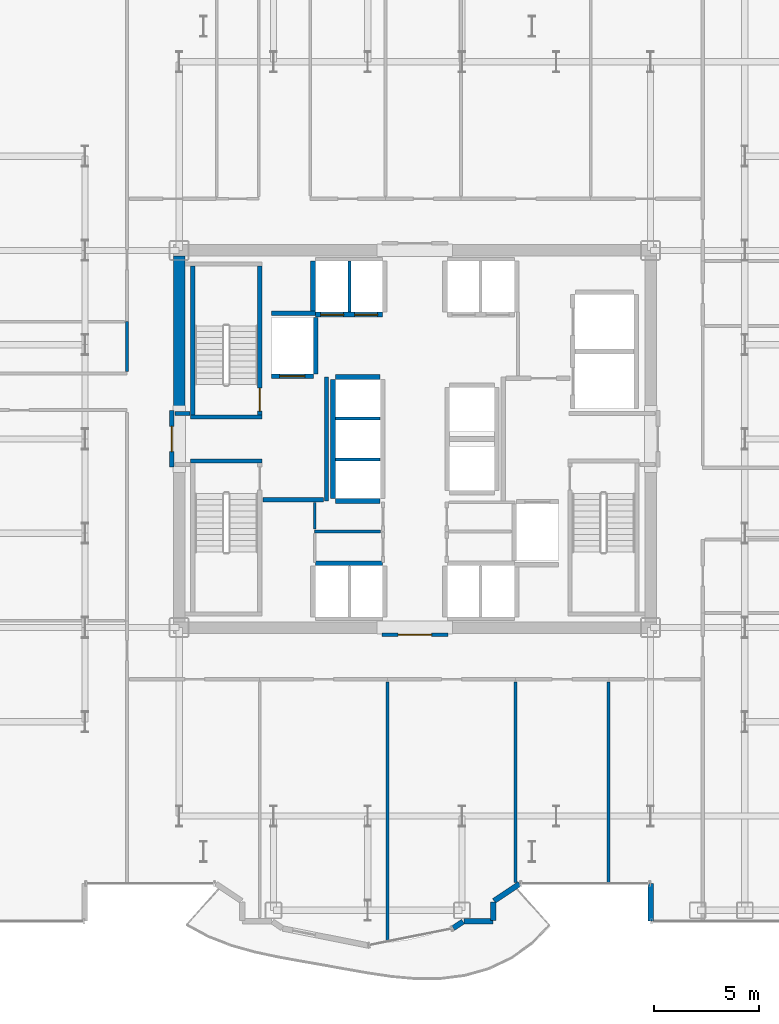
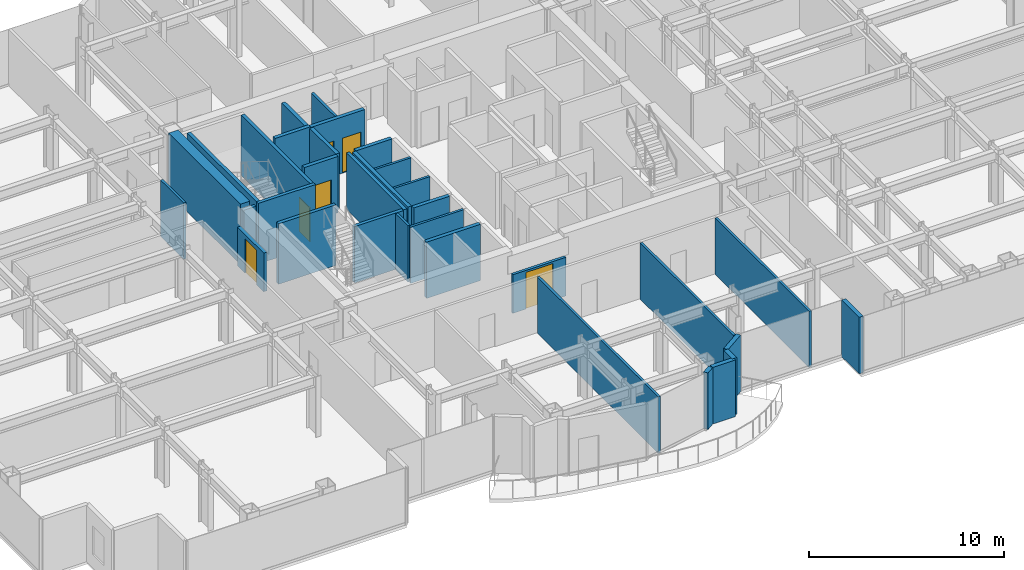
# One storey, part 23 of 29: 33 walls, 6 doors, 6 openings.
"""IFC4 building model written with IfcOpenShell, lengths in metres."""

from ifc_helpers import new_model, si_unit, direction, frame, frame_2d, origin, place, context, subcontext, project, spatial, rectangle, extrude, source, transform, mapped, material, layer, layer_set, type_object, element, fill, save


model = new_model("IFC4")

# Units and contexts
model_context = context("Model", 3, precision=1e-05, world=origin(), true_north=direction((0.0, 1.0)))
body_context = subcontext(model_context, "Body", "Model", "MODEL_VIEW")
ifc_project = project(units=[si_unit("LENGTHUNIT", "METRE"), si_unit("AREAUNIT", "SQUARE_METRE"), si_unit("VOLUMEUNIT", "CUBIC_METRE"), si_unit("PLANEANGLEUNIT", "RADIAN"), si_unit("MASSUNIT", "GRAM", prefix="KILO")], contexts=[model_context])

# Site, building, storey
site_placement = place(None, origin())
site = spatial("IfcSite", under=ifc_project, at=site_placement, CompositionType="ELEMENT")
building_placement = place(site_placement, origin())
building = spatial("IfcBuilding", under=site, at=building_placement, Name="Nefas-Gora Pilgrimage Tower", CompositionType="ELEMENT")
storey_placement = place(building_placement, frame((0.0, 0.0, 125.0)))
storey = spatial("IfcBuildingStorey", under=building, at=storey_placement, Name="L30", CompositionType="ELEMENT", Elevation=125.0)

# Walls
ifc_material_1 = material(Name="Concrete C60/75", Category="concrete")
ifc_layer_1 = layer(ifc_material_1, 0.550048828125)
ifc_layer_set_1 = layer_set([ifc_layer_1], Name="Concrete C60/75")
wall_type_1 = type_object("IfcWallType", Name="SW-CORE-550", PredefinedType="SHEAR", material=ifc_layer_set_1)
shared_shape_1 = source(origin(), body_context, "Body", "SweptSolid", [
    extrude(rectangle(XDim=7.375, YDim=0.550048828125, at=frame_2d((3.6875, 0.0))), origin(), (0.0, 0.0, 1.0), 3.800048828125),
])
wall_1_placement = place(storey_placement, frame((-11.25, 1.35009765625, 0.0), z_axis=(0.0, 0.0, 1.0), x_axis=(0.0, 1.0, 0.0)))
element("IfcWall", 1, at=wall_1_placement, inside=storey, type_object=wall_type_1, Name="L30 Core Shear Wall W-North", PredefinedType="SHEAR", context=body_context, shape_type="MappedRepresentation", body=[
    mapped(shared_shape_1, transform((0.0, 0.0, 0.0), x_axis=(1.0, 0.0, 0.0), y_axis=(0.0, 1.0, 0.0), z_axis=(0.0, 0.0, 1.0), scale=1.0)),
])
ifc_material_2 = material(Name="Precast concrete C40/50", Category="concrete")
ifc_layer_2 = layer(ifc_material_2, 0.260009765625)
ifc_layer_set_2 = layer_set([ifc_layer_2], Name="Precast concrete C40/50")
wall_type_2 = type_object("IfcWallType", Name="EW-PORTAL-260", PredefinedType="SOLIDWALL", material=ifc_layer_set_2)
shared_shape_2 = source(origin(), body_context, "Body", "SweptSolid", [
    extrude(rectangle(XDim=1.800048828125, YDim=0.260009765625, at=frame_2d((0.89990234375, 0.0))), origin(), (0.0, 0.0, 1.0), 3.550048828125),
])
wall_2_placement = place(storey_placement, frame((11.25, -21.219970703125, 0.0), z_axis=(0.0, 0.0, 1.0), x_axis=(0.0, -1.0, 0.0)))
element("IfcWall", 2, at=wall_2_placement, inside=storey, type_object=wall_type_2, Name="L30 Lobe Shoulder Precast Spandrel Pier 5", PredefinedType="SOLIDWALL", context=body_context, shape_type="MappedRepresentation", body=[
    mapped(shared_shape_2, transform((0.0, 0.0, 0.0), x_axis=(1.0, 0.0, 0.0), y_axis=(0.0, 1.0, 0.0), z_axis=(0.0, 0.0, 1.0), scale=1.0)),
])
shared_shape_3 = source(origin(), body_context, "Body", "SweptSolid", [
    extrude(rectangle(XDim=1.468994140625, YDim=0.260009765625, at=frame_2d((0.734375, 0.0))), origin(), (0.0, 0.0, 1.0), 3.550048828125),
])
wall_3_placement = place(storey_placement, frame((3.773193359375, -22.0517578125, 0.0), z_axis=(0.0, 0.0, 1.0), x_axis=(0.831461760506, 0.555581983884, 0.0)))
element("IfcWall", 3, at=wall_3_placement, inside=storey, type_object=wall_type_2, Name="L30 Lobe Shoulder Precast Spandrel Pier 41", PredefinedType="SOLIDWALL", context=body_context, shape_type="MappedRepresentation", body=[
    mapped(shared_shape_3, transform((0.0, 0.0, 0.0), x_axis=(1.0, 0.0, 0.0), y_axis=(0.0, 1.0, 0.0), z_axis=(0.0, 0.0, 1.0), scale=1.0)),
])
shared_shape_4 = source(origin(), body_context, "Body", "SweptSolid", [
    extrude(rectangle(XDim=0.896728515625, YDim=0.260009765625, at=frame_2d((0.4482421875, 0.0))), origin(), (0.0, 0.0, 1.0), 3.550048828125),
])
wall_4_placement = place(storey_placement, frame((3.75, -22.991943359375, 0.0), z_axis=(0.0, 0.0, 1.0), x_axis=(0.0, 1.0, 0.0)))
element("IfcWall", 4, at=wall_4_placement, inside=storey, type_object=wall_type_2, Name="L30 Lobe Shoulder Precast Spandrel Pier 40", PredefinedType="SOLIDWALL", context=body_context, shape_type="MappedRepresentation", body=[
    mapped(shared_shape_4, transform((0.0, 0.0, 0.0), x_axis=(1.0, 0.0, 0.0), y_axis=(0.0, 1.0, 0.0), z_axis=(0.0, 0.0, 1.0), scale=1.0)),
])
shared_shape_5 = source(origin(), body_context, "Body", "SweptSolid", [
    extrude(rectangle(XDim=1.369873046875, YDim=0.260009765625, at=frame_2d((0.68505859375, 0.0))), origin(), (0.0, 0.0, 1.0), 3.550048828125),
])
wall_5_placement = place(storey_placement, frame((2.35205078125, -23.02001953125, 0.0), z_axis=(0.0, 0.0, 1.0), x_axis=(1.0, 0.0, 0.0)))
element("IfcWall", 5, at=wall_5_placement, inside=storey, type_object=wall_type_2, Name="L30 Lobe Shoulder Precast Spandrel Pier 39", PredefinedType="SOLIDWALL", context=body_context, shape_type="MappedRepresentation", body=[
    mapped(shared_shape_5, transform((0.0, 0.0, 0.0), x_axis=(1.0, 0.0, 0.0), y_axis=(0.0, 1.0, 0.0), z_axis=(0.0, 0.0, 1.0), scale=1.0)),
])
shared_shape_6 = source(origin(), body_context, "Body", "SweptSolid", [
    extrude(rectangle(XDim=0.5654296875, YDim=0.260009765625, at=frame_2d((0.28271484375, 0.0))), origin(), (0.0, 0.0, 1.0), 3.550048828125),
])
wall_6_placement = place(storey_placement, frame((1.83056640625, -23.349609375, 0.0), z_axis=(0.0, 0.0, 1.0), x_axis=(0.831651492666, 0.555297933317, 0.0)))
element("IfcWall", 6, at=wall_6_placement, inside=storey, type_object=wall_type_2, Name="L30 Lobe Shoulder Precast Spandrel Pier 38", PredefinedType="SOLIDWALL", context=body_context, shape_type="MappedRepresentation", body=[
    mapped(shared_shape_6, transform((0.0, 0.0, 0.0), x_axis=(1.0, 0.0, 0.0), y_axis=(0.0, 1.0, 0.0), z_axis=(0.0, 0.0, 1.0), scale=1.0)),
])
ifc_material_3 = material(Name="Concrete C45/55", Category="concrete")
ifc_layer_3 = layer(ifc_material_3, 0.199951171875)
ifc_layer_set_3 = layer_set([ifc_layer_3], Name="Concrete C45/55")
wall_type_3 = type_object("IfcWallType", Name="IW-STAIR-200", PredefinedType="SOLIDWALL", material=ifc_layer_set_3)
shared_shape_7 = source(origin(), body_context, "Body", "SweptSolid", [
    extrude(rectangle(XDim=3.39990234375, YDim=0.199951171875, at=frame_2d((1.699951171875, 0.0))), origin(), (0.0, 0.0, 1.0), 3.800048828125),
])
for number, where, z_axis, x_axis, name in (
    (7, (-7.300048828125, 1.050048828125, 0.0), (0.0, 0.0, 1.0), (-1.0, 0.0, 0.0), "L30 Stairwell Shear Wall ST-01-near"),
    (8, (-10.699951171875, -1.050048828125, 0.0), (0.0, 0.0, 1.0), (1.0, 0.0, 0.0), "L30 Stairwell Shear Wall ST-03-near"),
):
    element("IfcWall", number, at=place(storey_placement, frame(where, z_axis=z_axis, x_axis=x_axis)), inside=storey, type_object=wall_type_3, Name=name, PredefinedType="SOLIDWALL", context=body_context, shape_type="MappedRepresentation", body=[
        mapped(shared_shape_7, transform((0.0, 0.0, 0.0), x_axis=(1.0, 0.0, 0.0), y_axis=(0.0, 1.0, 0.0), z_axis=(0.0, 0.0, 1.0), scale=1.0)),
    ])

# Wall, opening, door
shared_shape_8 = source(origin(), body_context, "Body", "SweptSolid", [
    extrude(rectangle(XDim=7.10009765625, YDim=0.199951171875, at=frame_2d((3.550048828125, 0.0))), origin(), (0.0, 0.0, 1.0), 3.800048828125),
])
wall_7_placement = place(storey_placement, frame((-7.39990234375, 1.14990234375, 0.0), z_axis=(0.0, 0.0, 1.0), x_axis=(0.0, 1.0, 0.0)))
wall_7 = element("IfcWall", 9, at=wall_7_placement, inside=storey, type_object=wall_type_3, Name="L30 Stairwell Shear Wall ST-01-left", PredefinedType="SOLIDWALL", context=body_context, shape_type="MappedRepresentation", body=[
    mapped(shared_shape_8, transform((0.0, 0.0, 0.0), x_axis=(1.0, 0.0, 0.0), y_axis=(0.0, 1.0, 0.0), z_axis=(0.0, 0.0, 1.0), scale=1.0)),
])
opening_1_placement = place(wall_7_placement, frame((0.179931640625, 0.0, 0.0)))
opening_1 = element("IfcOpeningElement", 10, at=opening_1_placement, cuts=wall_7, Name="Opening ID-ST1", PredefinedType="OPENING", context=body_context, shape_type="SweptSolid", body=[
    extrude(rectangle(XDim=1.10009765625, YDim=2.14990234375, at=frame_2d((0.550048828125, 1.074951171875))), frame((0.0, 0.10986328125, 0.0), z_axis=(0.0, -1.0, 0.0), x_axis=(1.0, 0.0, 0.0)), (0.0, 0.0, 1.0), 0.219970703125),
])
ifc_material_4 = material(Name="Painted galvanised steel fire stair door", Category="steel")
door_type_1 = type_object("IfcDoorType", Name="DR-INT-STAIR-1100", OperationType="NOTDEFINED", PredefinedType="DOOR", material=ifc_material_4)
shared_shape_9 = source(origin(), body_context, "Body", "SweptSolid", [
    extrude(rectangle(XDim=1.10009765625, YDim=2.14990234375, at=frame_2d((0.550048828125, 1.074951171875))), frame((0.0, 0.02490234375, 0.0), z_axis=(0.0, -1.0, 0.0), x_axis=(1.0, 0.0, 0.0)), (0.0, 0.0, 1.0), 0.050048828125),
])
door_1_placement = place(opening_1_placement, origin())
door_1 = element("IfcDoor", 11, at=door_1_placement, inside=storey, type_object=door_type_1, Name="L30 Protected Exit Stair Door ST-01", OperationType="SINGLE_SWING_RIGHT", OverallHeight=2.14990234375, OverallWidth=1.10009765625, PredefinedType="DOOR", context=body_context, shape_type="MappedRepresentation", body=[
    mapped(shared_shape_9, transform((0.0, 0.0, 0.0), x_axis=(1.0, 0.0, 0.0), y_axis=(0.0, 1.0, 0.0), z_axis=(0.0, 0.0, 1.0), scale=1.0)),
])
fill(opening_1, door_1)

# Wall
wall_8_placement = place(storey_placement, frame((-10.60009765625, 1.14990234375, 0.0), z_axis=(0.0, 0.0, 1.0), x_axis=(0.0, 1.0, 0.0)))
element("IfcWall", 12, at=wall_8_placement, inside=storey, type_object=wall_type_3, Name="L30 Stairwell Shear Wall ST-01-right", PredefinedType="SOLIDWALL", context=body_context, shape_type="MappedRepresentation", body=[
    mapped(shared_shape_8, transform((0.0, 0.0, 0.0), x_axis=(1.0, 0.0, 0.0), y_axis=(0.0, 1.0, 0.0), z_axis=(0.0, 0.0, 1.0), scale=1.0)),
])

# Wall, opening, door
ifc_material_5 = material(Name="Concrete C40/50", Category="concrete")
ifc_layer_4 = layer(ifc_material_5, 0.219970703125)
ifc_layer_set_4 = layer_set([ifc_layer_4], Name="Concrete C40/50")
wall_type_4 = type_object("IfcWallType", Name="IW-SHAFT-220", PredefinedType="SOLIDWALL", material=ifc_layer_set_4)
shared_shape_10 = source(origin(), body_context, "Body", "SweptSolid", [
    extrude(rectangle(XDim=2.0, YDim=0.219970703125, at=frame_2d((1.0, 0.0))), origin(), (0.0, 0.0, 1.0), 3.534912109375),
])
wall_9_placement = place(storey_placement, frame((-6.85009765625, 2.989990234375, 0.0), z_axis=(0.0, 0.0, 1.0), x_axis=(1.0, 0.0, 0.0)))
wall_9 = element("IfcWall", 13, at=wall_9_placement, inside=storey, type_object=wall_type_4, Name="L30 Hoistway Wall FFL-01-S", PredefinedType="SOLIDWALL", context=body_context, shape_type="MappedRepresentation", body=[
    mapped(shared_shape_10, transform((0.0, 0.0, 0.0), x_axis=(1.0, 0.0, 0.0), y_axis=(0.0, 1.0, 0.0), z_axis=(0.0, 0.0, 1.0), scale=1.0)),
])
opening_2_placement = place(wall_9_placement, frame((0.39990234375, 0.0, 0.0)))
opening_2 = element("IfcOpeningElement", 14, at=opening_2_placement, cuts=wall_9, Name="Opening LD-FF", PredefinedType="OPENING", context=body_context, shape_type="SweptSolid", body=[
    extrude(rectangle(XDim=1.199951171875, YDim=2.199951171875, at=frame_2d((0.60009765625, 1.10009765625))), frame((0.0, 0.119873046875, 0.0), z_axis=(0.0, -1.0, 0.0), x_axis=(1.0, 0.0, 0.0)), (0.0, 0.0, 1.0), 0.239990234375),
])
ifc_material_6 = material(Name="Fire-service sliding lift landing door")
door_type_2 = type_object("IfcDoorType", Name="DR-LIFT-FSAE-1200", OperationType="SLIDING_TO_LEFT", PredefinedType="DOOR", material=ifc_material_6)
shared_shape_11 = source(origin(), body_context, "Body", "SweptSolid", [
    extrude(rectangle(XDim=1.199951171875, YDim=2.199951171875, at=frame_2d((0.60009765625, 1.10009765625))), frame((0.0, 0.02490234375, 0.0), z_axis=(0.0, -1.0, 0.0), x_axis=(1.0, 0.0, 0.0)), (0.0, 0.0, 1.0), 0.050048828125),
])
door_2_placement = place(opening_2_placement, origin())
door_2 = element("IfcDoor", 15, at=door_2_placement, inside=storey, type_object=door_type_2, Name="L30 Sliding Lift Landing Door FFL-01", OperationType="SLIDING_TO_LEFT", OverallHeight=2.199951171875, OverallWidth=1.199951171875, PredefinedType="DOOR", context=body_context, shape_type="MappedRepresentation", body=[
    mapped(shared_shape_11, transform((0.0, 0.0, 0.0), x_axis=(1.0, 0.0, 0.0), y_axis=(0.0, 1.0, 0.0), z_axis=(0.0, 0.0, 1.0), scale=1.0)),
])
fill(opening_2, door_2)

# Wall
shared_shape_12 = source(origin(), body_context, "Body", "SweptSolid", [
    extrude(rectangle(XDim=2.679931640625, YDim=0.219970703125, at=frame_2d((1.33984375, 0.0))), origin(), (0.0, 0.0, 1.0), 3.534912109375),
])
wall_10_placement = place(storey_placement, frame((-4.739990234375, 3.110107421875, 0.0), z_axis=(0.0, 0.0, 1.0), x_axis=(0.0, 1.0, 0.0)))
element("IfcWall", 16, at=wall_10_placement, inside=storey, type_object=wall_type_4, Name="L30 Hoistway Wall FFL-01-E", PredefinedType="SOLIDWALL", context=body_context, shape_type="MappedRepresentation", body=[
    mapped(shared_shape_12, transform((0.0, 0.0, 0.0), x_axis=(1.0, 0.0, 0.0), y_axis=(0.0, 1.0, 0.0), z_axis=(0.0, 0.0, 1.0), scale=1.0)),
])

# Wall, openings, doors
shared_shape_13 = source(origin(), body_context, "Body", "SweptSolid", [
    extrude(rectangle(XDim=3.199951171875, YDim=0.219970703125, at=frame_2d((1.60009765625, 0.0))), origin(), (0.0, 0.0, 1.0), 3.534912109375),
])
wall_11_placement = place(storey_placement, frame((-4.75, 5.93994140625, 0.0), z_axis=(0.0, 0.0, 1.0), x_axis=(1.0, 0.0, 0.0)))
wall_11 = element("IfcWall", 17, at=wall_11_placement, inside=storey, type_object=wall_type_4, Name="L30 Hoistway Wall PL1-W-S", PredefinedType="SOLIDWALL", context=body_context, shape_type="MappedRepresentation", body=[
    mapped(shared_shape_13, transform((0.0, 0.0, 0.0), x_axis=(1.0, 0.0, 0.0), y_axis=(0.0, 1.0, 0.0), z_axis=(0.0, 0.0, 1.0), scale=1.0)),
])
opening_3_placement = place(wall_11_placement, frame((0.25, 0.0, 0.0)))
opening_3 = element("IfcOpeningElement", 18, at=opening_3_placement, cuts=wall_11, Name="Opening LD-01", PredefinedType="OPENING", context=body_context, shape_type="SweptSolid", body=[
    extrude(rectangle(XDim=1.10009765625, YDim=2.199951171875, at=frame_2d((0.550048828125, 1.10009765625))), frame((0.0, 0.119873046875, 0.0), z_axis=(0.0, -1.0, 0.0), x_axis=(1.0, 0.0, 0.0)), (0.0, 0.0, 1.0), 0.239990234375),
])
opening_4_placement = place(wall_11_placement, frame((1.875, 0.0, 0.0)))
opening_4 = element("IfcOpeningElement", 19, at=opening_4_placement, cuts=wall_11, Name="Opening LD-01", PredefinedType="OPENING", context=body_context, shape_type="SweptSolid", body=[
    extrude(rectangle(XDim=1.10009765625, YDim=2.199951171875, at=frame_2d((0.550048828125, 1.10009765625))), frame((0.0, 0.119873046875, 0.0), z_axis=(0.0, -1.0, 0.0), x_axis=(1.0, 0.0, 0.0)), (0.0, 0.0, 1.0), 0.239990234375),
])
ifc_material_7 = material(Name="Brushed stainless sliding lift landing door")
door_type_3 = type_object("IfcDoorType", Name="DR-LIFT-PASS-1100", OperationType="DOUBLE_DOOR_SLIDING", PredefinedType="DOOR", material=ifc_material_7)
shared_shape_14 = source(origin(), body_context, "Body", "SweptSolid", [
    extrude(rectangle(XDim=1.10009765625, YDim=2.199951171875, at=frame_2d((0.550048828125, 1.10009765625))), frame((0.0, 0.02490234375, 0.0), z_axis=(0.0, -1.0, 0.0), x_axis=(1.0, 0.0, 0.0)), (0.0, 0.0, 1.0), 0.050048828125),
])
door_3_placement = place(opening_3_placement, origin())
door_3 = element("IfcDoor", 20, at=door_3_placement, inside=storey, type_object=door_type_3, Name="L30 Sliding Lift Landing Door PL1-01", OperationType="DOUBLE_DOOR_SLIDING", OverallHeight=2.199951171875, OverallWidth=1.10009765625, PredefinedType="DOOR", context=body_context, shape_type="MappedRepresentation", body=[
    mapped(shared_shape_14, transform((0.0, 0.0, 0.0), x_axis=(1.0, 0.0, 0.0), y_axis=(0.0, 1.0, 0.0), z_axis=(0.0, 0.0, 1.0), scale=1.0)),
])
fill(opening_3, door_3)
door_4_placement = place(opening_4_placement, origin())
door_4 = element("IfcDoor", 21, at=door_4_placement, inside=storey, type_object=door_type_3, Name="L30 Sliding Lift Landing Door PL1-02", OperationType="DOUBLE_DOOR_SLIDING", OverallHeight=2.199951171875, OverallWidth=1.10009765625, PredefinedType="DOOR", context=body_context, shape_type="MappedRepresentation", body=[
    mapped(shared_shape_14, transform((0.0, 0.0, 0.0), x_axis=(1.0, 0.0, 0.0), y_axis=(0.0, 1.0, 0.0), z_axis=(0.0, 0.0, 1.0), scale=1.0)),
])
fill(opening_4, door_4)

# Walls
wall_12_placement = place(storey_placement, frame((-1.550048828125, -5.93994140625, 0.0), z_axis=(0.0, 0.0, 1.0), x_axis=(-1.0, 0.0, 0.0)))
element("IfcWall", 22, at=wall_12_placement, inside=storey, type_object=wall_type_4, Name="L30 Hoistway Wall PL2-W-N", PredefinedType="SOLIDWALL", context=body_context, shape_type="MappedRepresentation", body=[
    mapped(shared_shape_13, transform((0.0, 0.0, 0.0), x_axis=(1.0, 0.0, 0.0), y_axis=(0.0, 1.0, 0.0), z_axis=(0.0, 0.0, 1.0), scale=1.0)),
])
shared_shape_15 = source(origin(), body_context, "Body", "SweptSolid", [
    extrude(rectangle(XDim=2.429931640625, YDim=0.219970703125, at=frame_2d((1.21484375, 0.0))), origin(), (0.0, 0.0, 1.0), 3.534912109375),
])
wall_13_placement = place(storey_placement, frame((-4.860107421875, 8.489990234375, 0.0), z_axis=(0.0, 0.0, 1.0), x_axis=(0.0, -1.0, 0.0)))
element("IfcWall", 23, at=wall_13_placement, inside=storey, type_object=wall_type_4, Name="L30 Hoistway Wall PL1-W-W", PredefinedType="SOLIDWALL", context=body_context, shape_type="MappedRepresentation", body=[
    mapped(shared_shape_15, transform((0.0, 0.0, 0.0), x_axis=(1.0, 0.0, 0.0), y_axis=(0.0, 1.0, 0.0), z_axis=(0.0, 0.0, 1.0), scale=1.0)),
])
ifc_material_8 = material(Name="Gypsum twin-stud partition")
ifc_layer_5 = layer(ifc_material_8, 0.139892578125)
ifc_layer_set_5 = layer_set([ifc_layer_5], Name="Gypsum twin-stud partition")
wall_type_5 = type_object("IfcWallType", Name="IW-UNIT-140", PredefinedType="PARTITIONING", material=ifc_layer_set_5)
shared_shape_16 = source(origin(), body_context, "Body", "SweptSolid", [
    extrude(rectangle(XDim=2.429931640625, YDim=0.139892578125, at=frame_2d((1.21484375, 0.0))), origin(), (0.0, 0.0, 1.0), 3.534912109375),
])
wall_14_placement = place(storey_placement, frame((-3.125, 6.06005859375, 0.0), z_axis=(0.0, 0.0, 1.0), x_axis=(0.0, 1.0, 0.0)))
element("IfcWall", 24, at=wall_14_placement, inside=storey, type_object=wall_type_5, Name="L30 Hoistway Wall PL1-W-DIV", PredefinedType="PARTITIONING", context=body_context, shape_type="MappedRepresentation", body=[
    mapped(shared_shape_16, transform((0.0, 0.0, 0.0), x_axis=(1.0, 0.0, 0.0), y_axis=(0.0, 1.0, 0.0), z_axis=(0.0, 0.0, 1.0), scale=1.0)),
])
shared_shape_17 = source(origin(), body_context, "Body", "SweptSolid", [
    extrude(rectangle(XDim=5.7001953125, YDim=0.219970703125, at=frame_2d((2.85009765625, 0.0))), origin(), (0.0, 0.0, 1.0), 3.534912109375),
])
wall_15_placement = place(storey_placement, frame((-3.909912109375, 2.85009765625, 0.0), z_axis=(0.0, 0.0, 1.0), x_axis=(0.0, -1.0, 0.0)))
element("IfcWall", 25, at=wall_15_placement, inside=storey, type_object=wall_type_4, Name="L30 Hoistway Wall PL3-01-03-W", PredefinedType="SOLIDWALL", context=body_context, shape_type="MappedRepresentation", body=[
    mapped(shared_shape_17, transform((0.0, 0.0, 0.0), x_axis=(1.0, 0.0, 0.0), y_axis=(0.0, 1.0, 0.0), z_axis=(0.0, 0.0, 1.0), scale=1.0)),
])
shared_shape_18 = source(origin(), body_context, "Body", "SweptSolid", [
    extrude(rectangle(XDim=2.130126953125, YDim=0.219970703125, at=frame_2d((1.06494140625, 0.0))), origin(), (0.0, 0.0, 1.0), 3.534912109375),
])
for number, where, z_axis, x_axis, name in (
    (26, (-3.7900390625, -2.9599609375, 0.0), (0.0, 0.0, 1.0), (1.0, 0.0, 0.0), "L30 Hoistway Wall PL3-01-S"),
    (27, (-1.659912109375, 2.9599609375, 0.0), (0.0, 0.0, 1.0), (-1.0, 0.0, 0.0), "L30 Hoistway Wall PL3-03-N"),
):
    element("IfcWall", number, at=place(storey_placement, frame(where, z_axis=z_axis, x_axis=x_axis)), inside=storey, type_object=wall_type_4, Name=name, PredefinedType="SOLIDWALL", context=body_context, shape_type="MappedRepresentation", body=[
        mapped(shared_shape_18, transform((0.0, 0.0, 0.0), x_axis=(1.0, 0.0, 0.0), y_axis=(0.0, 1.0, 0.0), z_axis=(0.0, 0.0, 1.0), scale=1.0)),
    ])
shared_shape_19 = source(origin(), body_context, "Body", "SweptSolid", [
    extrude(rectangle(XDim=2.130126953125, YDim=0.139892578125, at=frame_2d((1.06494140625, 0.0))), origin(), (0.0, 0.0, 1.0), 3.534912109375),
])
for number, where, z_axis, x_axis, name in (
    (28, (-3.7900390625, -0.97509765625, 0.0), (0.0, 0.0, 1.0), (1.0, 0.0, 0.0), "L30 Hoistway Wall PL3-01-02-DIV"),
    (29, (-3.7900390625, 0.97509765625, 0.0), (0.0, 0.0, 1.0), (1.0, 0.0, 0.0), "L30 Hoistway Wall PL3-02-03-DIV"),
):
    element("IfcWall", number, at=place(storey_placement, frame(where, z_axis=z_axis, x_axis=x_axis)), inside=storey, type_object=wall_type_5, Name=name, PredefinedType="PARTITIONING", context=body_context, shape_type="MappedRepresentation", body=[
        mapped(shared_shape_19, transform((0.0, 0.0, 0.0), x_axis=(1.0, 0.0, 0.0), y_axis=(0.0, 1.0, 0.0), z_axis=(0.0, 0.0, 1.0), scale=1.0)),
    ])
shared_shape_20 = source(origin(), body_context, "Body", "SweptSolid", [
    extrude(rectangle(XDim=2.09521484375, YDim=0.219970703125, at=frame_2d((1.047607421875, 0.0))), origin(), (0.0, 0.0, 1.0), 3.534912109375),
])
wall_16_placement = place(storey_placement, frame((-6.85009765625, 6.0, 0.0), z_axis=(0.0, 0.0, 1.0), x_axis=(1.0, 0.0, 0.0)))
element("IfcWall", 30, at=wall_16_placement, inside=storey, type_object=wall_type_4, Name="L30 Riser Shaft Wall 1", PredefinedType="SOLIDWALL", context=body_context, shape_type="MappedRepresentation", body=[
    mapped(shared_shape_20, transform((0.0, 0.0, 0.0), x_axis=(1.0, 0.0, 0.0), y_axis=(0.0, 1.0, 0.0), z_axis=(0.0, 0.0, 1.0), scale=1.0)),
])

# Wall, opening, door
ifc_material_9 = material(Name="Gypsum fire-rated shaftwall")
ifc_layer_6 = layer(ifc_material_9, 0.199951171875)
ifc_layer_set_6 = layer_set([ifc_layer_6], Name="Gypsum fire-rated shaftwall")
wall_type_6 = type_object("IfcWallType", Name="IW-FFLOB-200", PredefinedType="PARTITIONING", material=ifc_layer_set_6)
shared_shape_21 = source(origin(), body_context, "Body", "SweptSolid", [
    extrude(rectangle(XDim=2.7001953125, YDim=0.199951171875, at=frame_2d((1.35009765625, 0.0))), origin(), (0.0, 0.0, 1.0), 2.425048828125),
])
wall_17_placement = place(storey_placement, frame((-11.60009765625, -1.35009765625, 0.0), z_axis=(0.0, 0.0, 1.0), x_axis=(0.0, 1.0, 0.0)))
wall_17 = element("IfcWall", 31, at=wall_17_placement, inside=storey, type_object=wall_type_6, Name="L30 FF Lobby West Portal Wall 3", PredefinedType="PARTITIONING", context=body_context, shape_type="MappedRepresentation", body=[
    mapped(shared_shape_21, transform((0.0, 0.0, 0.0), x_axis=(1.0, 0.0, 0.0), y_axis=(0.0, 1.0, 0.0), z_axis=(0.0, 0.0, 1.0), scale=1.0)),
])
opening_5_placement = place(wall_17_placement, frame((0.75, 0.0, 0.0)))
opening_5 = element("IfcOpeningElement", 32, at=opening_5_placement, cuts=wall_17, Name="Opening ID-FF1", PredefinedType="OPENING", context=body_context, shape_type="SweptSolid", body=[
    extrude(rectangle(XDim=1.199951171875, YDim=2.14990234375, at=frame_2d((0.60009765625, 1.074951171875))), frame((0.0, 0.10986328125, 0.0), z_axis=(0.0, -1.0, 0.0), x_axis=(1.0, 0.0, 0.0)), (0.0, 0.0, 1.0), 0.219970703125),
])
ifc_material_10 = material(Name="Smoke-sealed steel firefighting lobby door", Category="steel")
door_type_4 = type_object("IfcDoorType", Name="DR-INT-FFLOB-1200", OperationType="NOTDEFINED", PredefinedType="DOOR", material=ifc_material_10)
shared_shape_22 = source(origin(), body_context, "Body", "SweptSolid", [
    extrude(rectangle(XDim=1.199951171875, YDim=2.14990234375, at=frame_2d((0.60009765625, 1.074951171875))), frame((0.0, 0.02490234375, 0.0), z_axis=(0.0, -1.0, 0.0), x_axis=(1.0, 0.0, 0.0)), (0.0, 0.0, 1.0), 0.050048828125),
])
door_5_placement = place(opening_5_placement, origin())
door_5 = element("IfcDoor", 33, at=door_5_placement, inside=storey, type_object=door_type_4, Name="L30 FF Lobby West Portal Door 1", OperationType="SINGLE_SWING_RIGHT", OverallHeight=2.14990234375, OverallWidth=1.199951171875, PredefinedType="DOOR", context=body_context, shape_type="MappedRepresentation", body=[
    mapped(shared_shape_22, transform((0.0, 0.0, 0.0), x_axis=(1.0, 0.0, 0.0), y_axis=(0.0, 1.0, 0.0), z_axis=(0.0, 0.0, 1.0), scale=1.0)),
])
fill(opening_5, door_5)

# Walls
shared_shape_23 = source(origin(), body_context, "Body", "SweptSolid", [
    extrude(rectangle(XDim=5.89990234375, YDim=0.199951171875, at=frame_2d((2.949951171875, 0.0))), origin(), (0.0, 0.0, 1.0), 3.534912109375),
])
wall_18_placement = place(storey_placement, frame((-4.219970703125, -2.949951171875, 0.0), z_axis=(0.0, 0.0, 1.0), x_axis=(0.0, 1.0, 0.0)))
element("IfcWall", 34, at=wall_18_placement, inside=storey, type_object=wall_type_6, Name="L30 FF Lobby West Inner Wall Wall 4", PredefinedType="PARTITIONING", context=body_context, shape_type="MappedRepresentation", body=[
    mapped(shared_shape_23, transform((0.0, 0.0, 0.0), x_axis=(1.0, 0.0, 0.0), y_axis=(0.0, 1.0, 0.0), z_axis=(0.0, 0.0, 1.0), scale=1.0)),
])
shared_shape_24 = source(origin(), body_context, "Body", "SweptSolid", [
    extrude(rectangle(XDim=2.89990234375, YDim=0.199951171875, at=frame_2d((1.449951171875, 0.0))), origin(), (0.0, 0.0, 1.0), 3.534912109375),
])
wall_19_placement = place(storey_placement, frame((-7.260009765625, -2.89990234375, 0.0), z_axis=(0.0, 0.0, 1.0), x_axis=(1.0, 0.0, 0.0)))
element("IfcWall", 35, at=wall_19_placement, inside=storey, type_object=wall_type_6, Name="L30 FF Lobby West South Wall Wall 5", PredefinedType="PARTITIONING", context=body_context, shape_type="MappedRepresentation", body=[
    mapped(shared_shape_24, transform((0.0, 0.0, 0.0), x_axis=(1.0, 0.0, 0.0), y_axis=(0.0, 1.0, 0.0), z_axis=(0.0, 0.0, 1.0), scale=1.0)),
])
shared_shape_25 = source(origin(), body_context, "Body", "SweptSolid", [
    extrude(rectangle(XDim=0.719970703125, YDim=0.199951171875, at=frame_2d((0.35986328125, 0.0))), origin(), (0.0, 0.0, 1.0), 3.534912109375),
])
wall_20_placement = place(storey_placement, frame((-11.4599609375, 1.219970703125, 0.0), z_axis=(0.0, 0.0, 1.0), x_axis=(1.0, 0.0, 0.0)))
element("IfcWall", 36, at=wall_20_placement, inside=storey, type_object=wall_type_6, Name="L30 FF Lobby West Throat N Wall 6", PredefinedType="PARTITIONING", context=body_context, shape_type="MappedRepresentation", body=[
    mapped(shared_shape_25, transform((0.0, 0.0, 0.0), x_axis=(1.0, 0.0, 0.0), y_axis=(0.0, 1.0, 0.0), z_axis=(0.0, 0.0, 1.0), scale=1.0)),
])
shared_shape_26 = source(origin(), body_context, "Body", "SweptSolid", [
    extrude(rectangle(XDim=12.415771484375, YDim=0.139892578125, at=frame_2d((6.2080078125, 0.0))), origin(), (0.0, 0.0, 1.0), 3.534912109375),
])
wall_21_placement = place(storey_placement, frame((-1.31005859375, -24.005859375, 0.0), z_axis=(0.0, 0.0, 1.0), x_axis=(0.0, 1.0, 0.0)))
element("IfcWall", 37, at=wall_21_placement, inside=storey, type_object=wall_type_5, Name="L30 Pilgrim Contemplative Lounge Partition Wall 60", PredefinedType="PARTITIONING", context=body_context, shape_type="MappedRepresentation", body=[
    mapped(shared_shape_26, transform((0.0, 0.0, 0.0), x_axis=(1.0, 0.0, 0.0), y_axis=(0.0, 1.0, 0.0), z_axis=(0.0, 0.0, 1.0), scale=1.0)),
])
shared_shape_27 = source(origin(), body_context, "Body", "SweptSolid", [
    extrude(rectangle(XDim=9.64990234375, YDim=0.139892578125, at=frame_2d((4.824951171875, 0.0))), origin(), (0.0, 0.0, 1.0), 3.534912109375),
])
wall_22_placement = place(storey_placement, frame((9.25, -21.239990234375, 0.0), z_axis=(0.0, 0.0, 1.0), x_axis=(0.0, 1.0, 0.0)))
element("IfcWall", 38, at=wall_22_placement, inside=storey, type_object=wall_type_5, Name="L30 Pilgrim Contemplative Lounge Partition Wall 64", PredefinedType="PARTITIONING", context=body_context, shape_type="MappedRepresentation", body=[
    mapped(shared_shape_27, transform((0.0, 0.0, 0.0), x_axis=(1.0, 0.0, 0.0), y_axis=(0.0, 1.0, 0.0), z_axis=(0.0, 0.0, 1.0), scale=1.0)),
])
shared_shape_28 = source(origin(), body_context, "Body", "SweptSolid", [
    extrude(rectangle(XDim=3.150146484375, YDim=0.139892578125, at=frame_2d((1.5751953125, 0.0))), origin(), (0.0, 0.0, 1.0), 3.534912109375),
])
wall_23_placement = place(storey_placement, frame((-4.7900390625, -4.409912109375, 0.0), z_axis=(0.0, 0.0, 1.0), x_axis=(1.0, 0.0, 0.0)))
element("IfcWall", 39, at=wall_23_placement, inside=storey, type_object=wall_type_5, Name="L30 Housekeeping and Linen Store Partition Wall 17", PredefinedType="PARTITIONING", context=body_context, shape_type="MappedRepresentation", body=[
    mapped(shared_shape_28, transform((0.0, 0.0, 0.0), x_axis=(1.0, 0.0, 0.0), y_axis=(0.0, 1.0, 0.0), z_axis=(0.0, 0.0, 1.0), scale=1.0)),
])
shared_shape_29 = source(origin(), body_context, "Body", "SweptSolid", [
    extrude(rectangle(XDim=1.260009765625, YDim=0.139892578125, at=frame_2d((0.6298828125, 0.0))), origin(), (0.0, 0.0, 1.0), 3.534912109375),
])
wall_24_placement = place(storey_placement, frame((-4.780029296875, -4.300048828125, 0.0), z_axis=(0.0, 0.0, 1.0), x_axis=(0.0, 1.0, 0.0)))
element("IfcWall", 40, at=wall_24_placement, inside=storey, type_object=wall_type_5, Name="L30 Housekeeping and Linen Store Partition Wall 18", PredefinedType="PARTITIONING", context=body_context, shape_type="MappedRepresentation", body=[
    mapped(shared_shape_29, transform((0.0, 0.0, 0.0), x_axis=(1.0, 0.0, 0.0), y_axis=(0.0, 1.0, 0.0), z_axis=(0.0, 0.0, 1.0), scale=1.0)),
])

# Wall, opening, door
ifc_material_11 = material(Name="Gypsum acoustic stud partition")
ifc_layer_7 = layer(ifc_material_11, 0.159912109375)
ifc_layer_set_7 = layer_set([ifc_layer_7], Name="Gypsum acoustic stud partition")
wall_type_7 = type_object("IfcWallType", Name="IW-CORR-160", PredefinedType="PARTITIONING", material=ifc_layer_set_7)
shared_shape_30 = source(origin(), body_context, "Body", "SweptSolid", [
    extrude(rectangle(XDim=3.16015625, YDim=0.159912109375, at=frame_2d((1.580078125, 0.0))), origin(), (0.0, 0.0, 1.0), 2.425048828125),
])
wall_25_placement = place(storey_placement, frame((-1.580078125, -9.35009765625, 0.0), z_axis=(0.0, 0.0, 1.0), x_axis=(1.0, 0.0, 0.0)))
wall_25 = element("IfcWall", 41, at=wall_25_placement, inside=storey, type_object=wall_type_7, Name="L30 Central Lift Lobby South Portal Wall 14", PredefinedType="PARTITIONING", context=body_context, shape_type="MappedRepresentation", body=[
    mapped(shared_shape_30, transform((0.0, 0.0, 0.0), x_axis=(1.0, 0.0, 0.0), y_axis=(0.0, 1.0, 0.0), z_axis=(0.0, 0.0, 1.0), scale=1.0)),
])
opening_6_placement = place(wall_25_placement, frame((0.780029296875, 0.0, 0.0)))
opening_6 = element("IfcOpeningElement", 42, at=opening_6_placement, cuts=wall_25, Name="Opening ID-HL1", PredefinedType="OPENING", context=body_context, shape_type="SweptSolid", body=[
    extrude(rectangle(XDim=1.60009765625, YDim=2.300048828125, at=frame_2d((0.800048828125, 1.14990234375))), frame((0.0, 0.08984375, 0.0), z_axis=(0.0, -1.0, 0.0), x_axis=(1.0, 0.0, 0.0)), (0.0, 0.0, 1.0), 0.179931640625),
])
ifc_material_12 = material(Name="Double acoustic timber assembly hall door", Category="wood")
door_type_5 = type_object("IfcDoorType", Name="DR-INT-HALL-1600", OperationType="DOUBLE_DOOR_SINGLE_SWING", PredefinedType="DOOR", material=ifc_material_12)
shared_shape_31 = source(origin(), body_context, "Body", "SweptSolid", [
    extrude(rectangle(XDim=1.60009765625, YDim=2.300048828125, at=frame_2d((0.800048828125, 1.14990234375))), frame((0.0, 0.02490234375, 0.0), z_axis=(0.0, -1.0, 0.0), x_axis=(1.0, 0.0, 0.0)), (0.0, 0.0, 1.0), 0.050048828125),
])
door_6_placement = place(opening_6_placement, origin())
door_6 = element("IfcDoor", 43, at=door_6_placement, inside=storey, type_object=door_type_5, Name="L30 Central Lift Lobby South Portal Door 5", OperationType="DOUBLE_DOOR_SINGLE_SWING", OverallHeight=2.300048828125, OverallWidth=1.60009765625, PredefinedType="DOOR", context=body_context, shape_type="MappedRepresentation", body=[
    mapped(shared_shape_31, transform((0.0, 0.0, 0.0), x_axis=(1.0, 0.0, 0.0), y_axis=(0.0, 1.0, 0.0), z_axis=(0.0, 0.0, 1.0), scale=1.0)),
])
fill(opening_6, door_6)

# Walls
shared_shape_32 = source(origin(), body_context, "Body", "SweptSolid", [
    extrude(rectangle(XDim=2.375, YDim=0.139892578125, at=frame_2d((1.1875, 0.0))), origin(), (0.0, 0.0, 1.0), 3.534912109375),
])
wall_26_placement = place(storey_placement, frame((-13.739990234375, 3.22998046875, 0.0), z_axis=(0.0, 0.0, 1.0), x_axis=(0.0, 1.0, 0.0)))
element("IfcWall", 44, at=wall_26_placement, inside=storey, type_object=wall_type_5, Name="L30 Pilgrim Floor Concierge Foyer Partition Wall 31", PredefinedType="PARTITIONING", context=body_context, shape_type="MappedRepresentation", body=[
    mapped(shared_shape_32, transform((0.0, 0.0, 0.0), x_axis=(1.0, 0.0, 0.0), y_axis=(0.0, 1.0, 0.0), z_axis=(0.0, 0.0, 1.0), scale=1.0)),
])
shared_shape_33 = source(origin(), body_context, "Body", "SweptSolid", [
    extrude(rectangle(XDim=9.576904296875, YDim=0.139892578125, at=frame_2d((4.78857421875, 0.0))), origin(), (0.0, 0.0, 1.0), 3.534912109375),
])
wall_27_placement = place(storey_placement, frame((4.794921875, -21.1669921875, 0.0), z_axis=(0.0, 0.0, 1.0), x_axis=(0.0, 1.0, 0.0)))
element("IfcWall", 45, at=wall_27_placement, inside=storey, type_object=wall_type_5, Name="L30 Pilgrim Contemplative Lounge Partition Wall 62", PredefinedType="PARTITIONING", context=body_context, shape_type="MappedRepresentation", body=[
    mapped(shared_shape_33, transform((0.0, 0.0, 0.0), x_axis=(1.0, 0.0, 0.0), y_axis=(0.0, 1.0, 0.0), z_axis=(0.0, 0.0, 1.0), scale=1.0)),
])

save(model, "model.ifc")
